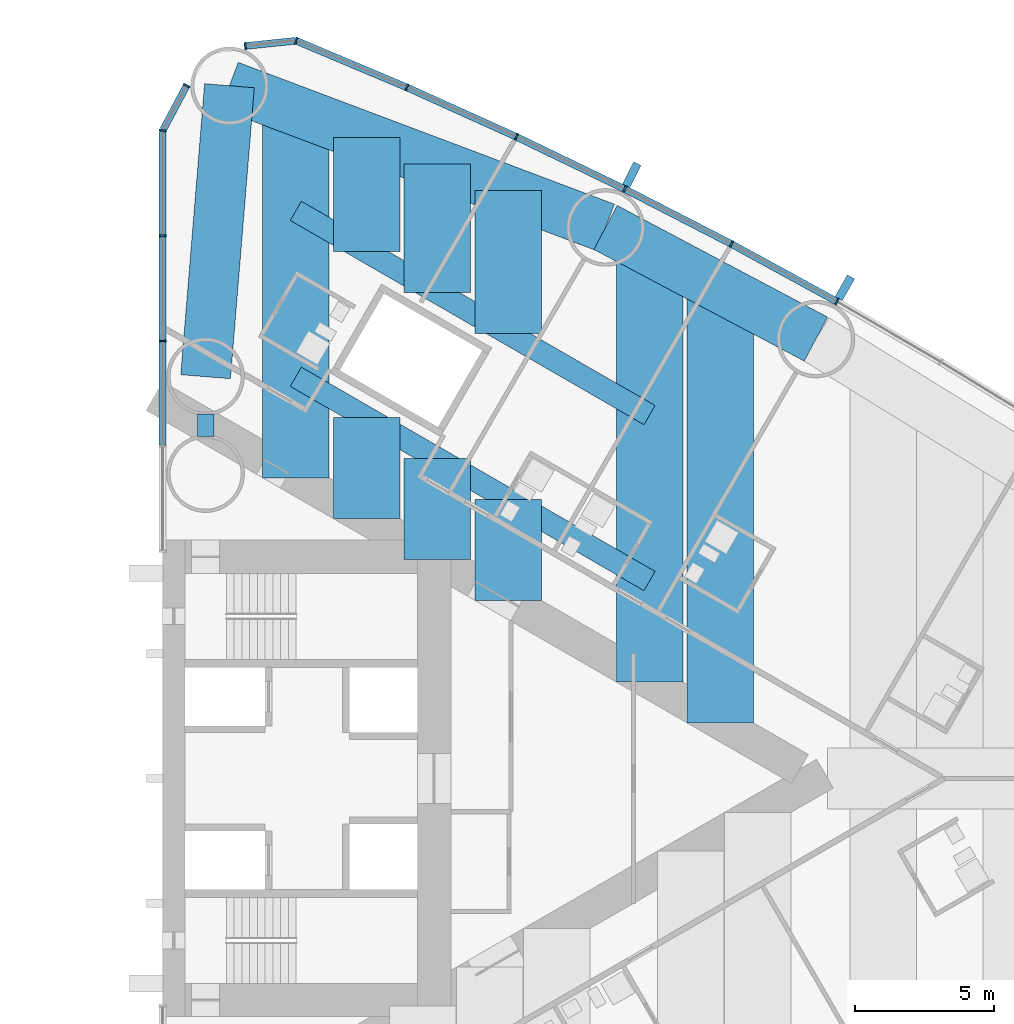
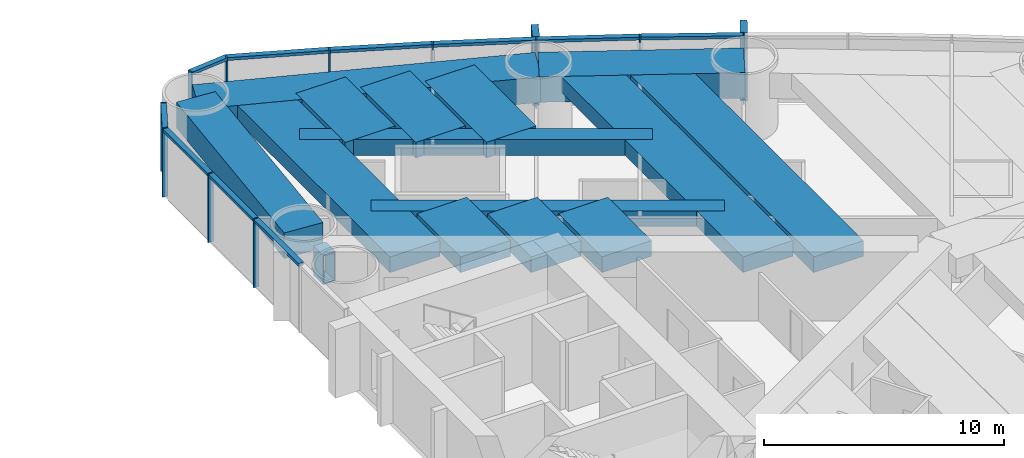
# One storey, part 7 of 18: 23 members, 15 beams, 2 elements without a shape of their own.
"""IFC4 building model written with IfcOpenShell, lengths in metres."""

from ifc_helpers import new_model, si_unit, direction, frame, origin, origin_2d, place, context, subcontext, project, spatial, rectangle, hollow_rectangle, extrude, material, material_profile, profile_set, type_object, element, aggregate, save


model = new_model("IFC4")

# Units and contexts
model_context = context("Model", 3, precision=1e-05, world=origin(), true_north=direction((0.0, 1.0)))
body_context = subcontext(model_context, "Body", "Model", "MODEL_VIEW")
ifc_project = project(units=[si_unit("LENGTHUNIT", "METRE"), si_unit("AREAUNIT", "SQUARE_METRE"), si_unit("VOLUMEUNIT", "CUBIC_METRE"), si_unit("PLANEANGLEUNIT", "RADIAN"), si_unit("MASSUNIT", "GRAM", prefix="KILO")], contexts=[model_context])

# Site, building, storey
site_placement = place(None, origin())
site = spatial("IfcSite", under=ifc_project, at=site_placement, CompositionType="ELEMENT")
building_placement = place(site_placement, origin())
building = spatial("IfcBuilding", under=site, at=building_placement, Name="Lancet Gate Hotel", CompositionType="ELEMENT")
storey_placement = place(building_placement, frame((0.0, 0.0, 42.5)))
storey = spatial("IfcBuildingStorey", under=building, at=storey_placement, Name="L10", CompositionType="ELEMENT", Elevation=42.5)

# Curtain wall, members
ifc_material_1 = material(Name="Aluminium curtain wall", Category="aluminium")
curtain_wall_type = type_object("IfcCurtainWallType", Name="Tower unitised curtain wall", PredefinedType="USERDEFINED", material=ifc_material_1)
curtain_wall_1_placement = place(storey_placement, origin())
curtain_wall_1 = element("IfcCurtainWall", 1, at=curtain_wall_1_placement, inside=storey, type_object=curtain_wall_type, Name="T2 L10 curtain wall 3", ObjectType="UNITISED CURTAIN WALL", PredefinedType="USERDEFINED")
ifc_material_2 = material(Name="Aluminium mullion", Category="aluminium")
ifc_material_profile_1 = material_profile(ifc_material_2, rectangle(XDim=0.06494140625, YDim=0.25, at=origin_2d()), Name="MULLION 65x250")
ifc_profile_set_1 = profile_set([ifc_material_profile_1], Name="Aluminium mullion")
member_type_1 = type_object("IfcMemberType", Name="Aluminium mullion 65x250", PredefinedType="MULLION", material=ifc_profile_set_1)
member_1_placement = place(storey_placement, frame((51.838623046875, 17.208740234375, 0.0), z_axis=(0.0, 0.0, 1.0), x_axis=(-0.871190450382, 0.490945209941, 0.0)))
member_1 = element("IfcMember", 2, at=member_1_placement, type_object=member_type_1, Name="T2 L10 curtain wall 3 mullion 8", PredefinedType="MULLION", context=body_context, shape_type="SweptSolid", body=[
    extrude(rectangle(XDim=0.06494140625, YDim=0.25, at=origin_2d()), origin(), (0.0, 0.0, 1.0), 3.5),
])
member_2_placement = place(storey_placement, frame((48.03271484375, 19.2900390625, 0.0), z_axis=(0.0, 0.0, 1.0), x_axis=(-0.88340346743, 0.468613181347, 0.0)))
member_2 = element("IfcMember", 3, at=member_2_placement, type_object=member_type_1, Name="T2 L10 curtain wall 3 mullion 9", PredefinedType="MULLION", context=body_context, shape_type="SweptSolid", body=[
    extrude(rectangle(XDim=0.06494140625, YDim=0.25, at=origin_2d()), origin(), (0.0, 0.0, 1.0), 3.5),
])
member_3_placement = place(storey_placement, frame((44.17529296875, 21.273681640625, 0.0), z_axis=(0.0, 0.0, 1.0), x_axis=(-0.895044147438, 0.445977548917, 0.0)))
member_3 = element("IfcMember", 4, at=member_3_placement, type_object=member_type_1, Name="T2 L10 curtain wall 3 mullion 10", PredefinedType="MULLION", context=body_context, shape_type="SweptSolid", body=[
    extrude(rectangle(XDim=0.06494140625, YDim=0.25, at=origin_2d()), origin(), (0.0, 0.0, 1.0), 3.5),
])
member_4_placement = place(storey_placement, frame((40.2685546875, 23.15869140625, 0.0), z_axis=(0.0, 0.0, 1.0), x_axis=(-0.906104948671, 0.423052977762, 0.0)))
member_4 = element("IfcMember", 5, at=member_4_placement, type_object=member_type_1, Name="T2 L10 curtain wall 3 mullion 11", PredefinedType="MULLION", context=body_context, shape_type="SweptSolid", body=[
    extrude(rectangle(XDim=0.06494140625, YDim=0.25, at=origin_2d()), origin(), (0.0, 0.0, 1.0), 3.5),
])
member_5_placement = place(storey_placement, frame((36.31494140625, 24.943603515625, 0.0), z_axis=(0.0, 0.0, 1.0), x_axis=(-0.916578705089, 0.399854320193, 0.0)))
member_5 = element("IfcMember", 6, at=member_5_placement, type_object=member_type_1, Name="T2 L10 curtain wall 3 mullion 12", PredefinedType="MULLION", context=body_context, shape_type="SweptSolid", body=[
    extrude(rectangle(XDim=0.06494140625, YDim=0.25, at=origin_2d()), origin(), (0.0, 0.0, 1.0), 3.5),
])
member_6_placement = place(storey_placement, frame((32.3173828125, 26.62744140625, 0.0), z_axis=(0.0, 0.0, 1.0), x_axis=(-0.968721492963, 0.248150496819, 0.0)))
member_6 = element("IfcMember", 7, at=member_6_placement, type_object=member_type_1, Name="T2 L10 curtain wall 3 mullion 13", PredefinedType="MULLION", context=body_context, shape_type="SweptSolid", body=[
    extrude(rectangle(XDim=0.06494140625, YDim=0.25, at=origin_2d()), origin(), (0.0, 0.0, 1.0), 3.5),
])
member_7_placement = place(storey_placement, frame((30.48388671875, 26.4375, 0.0), z_axis=(0.0, 0.0, 1.0), x_axis=(-0.994672262412, -0.10308778001, 0.0)))
member_7 = element("IfcMember", 8, at=member_7_placement, type_object=member_type_1, Name="T2 L10 curtain wall 3 mullion 14", PredefinedType="MULLION", context=body_context, shape_type="SweptSolid", body=[
    extrude(rectangle(XDim=0.06494140625, YDim=0.25, at=origin_2d()), origin(), (0.0, 0.0, 1.0), 3.5),
])

curtain_wall_2_placement = place(storey_placement, origin())
curtain_wall_2 = element("IfcCurtainWall", 9, at=curtain_wall_2_placement, inside=storey, type_object=curtain_wall_type, Name="T2 L10 curtain wall 4", ObjectType="UNITISED CURTAIN WALL", PredefinedType="USERDEFINED")
member_8_placement = place(storey_placement, frame((28.366455078125, 25.012451171875, 0.0), z_axis=(0.0, 0.0, 1.0), x_axis=(-0.469897827284, -0.882720811987, 0.0)))
member_8 = element("IfcMember", 10, at=member_8_placement, type_object=member_type_1, Name="T2 L10 curtain wall 4 mullion 1", PredefinedType="MULLION", context=body_context, shape_type="SweptSolid", body=[
    extrude(rectangle(XDim=0.06494140625, YDim=0.25, at=origin_2d()), origin(), (0.0, 0.0, 1.0), 3.5),
])
member_9_placement = place(storey_placement, frame((27.5, 23.384765625, 0.0), z_axis=(0.0, 0.0, 1.0), x_axis=(-0.157751691459, -0.987478811844, 0.0)))
member_9 = element("IfcMember", 11, at=member_9_placement, type_object=member_type_1, Name="T2 L10 curtain wall 4 mullion 2", PredefinedType="MULLION", context=body_context, shape_type="SweptSolid", body=[
    extrude(rectangle(XDim=0.06494140625, YDim=0.25, at=origin_2d()), origin(), (0.0, 0.0, 1.0), 3.5),
])
member_10_placement = place(storey_placement, frame((27.5, 19.588623046875, 0.0), z_axis=(0.0, 0.0, 1.0), x_axis=(0.0, -1.0, 0.0)))
member_10 = element("IfcMember", 12, at=member_10_placement, type_object=member_type_1, Name="T2 L10 curtain wall 4 mullion 3", PredefinedType="MULLION", context=body_context, shape_type="SweptSolid", body=[
    extrude(rectangle(XDim=0.06494140625, YDim=0.25, at=origin_2d()), origin(), (0.0, 0.0, 1.0), 3.5),
])
member_11_placement = place(storey_placement, frame((27.5, 15.79248046875, 0.0), z_axis=(0.0, 0.0, 1.0), x_axis=(0.0, -1.0, 0.0)))
member_11 = element("IfcMember", 13, at=member_11_placement, type_object=member_type_1, Name="T2 L10 curtain wall 4 mullion 4", PredefinedType="MULLION", context=body_context, shape_type="SweptSolid", body=[
    extrude(rectangle(XDim=0.06494140625, YDim=0.25, at=origin_2d()), origin(), (0.0, 0.0, 1.0), 3.5),
])

# Member
ifc_material_3 = material(Name="Aluminium transom", Category="aluminium")
ifc_material_profile_2 = material_profile(ifc_material_3, rectangle(XDim=0.25, YDim=0.14990234375, at=origin_2d()), Name="TRANSOM 250x150")
ifc_profile_set_2 = profile_set([ifc_material_profile_2], Name="Aluminium transom")
member_type_2 = type_object("IfcMemberType", Name="Aluminium transom 250x150", PredefinedType="USERDEFINED", material=ifc_profile_set_2)
member_12_placement = place(storey_placement, frame((51.81005859375, 17.224365234375, 3.425048828125), z_axis=(-0.877377528879, 0.479800658417, 0.0), x_axis=(-0.479800658417, -0.877377528879, 0.0)))
member_12 = element("IfcMember", 14, at=member_12_placement, type_object=member_type_2, Name="T2 L10 curtain wall 3 transom 8", ObjectType="TRANSOM", PredefinedType="USERDEFINED", context=body_context, shape_type="SweptSolid", body=[
    extrude(rectangle(XDim=0.25, YDim=0.14990234375, at=origin_2d()), origin(), (0.0, 0.0, 1.0), 4.272705078125),
])

member_13_placement = place(storey_placement, frame((48.00390625, 19.304931640625, 3.425048828125), z_axis=(-0.88929576978, 0.457332520002, 0.0), x_axis=(-0.457332520002, -0.88929576978, 0.0)))
member_13 = element("IfcMember", 15, at=member_13_placement, type_object=member_type_2, Name="T2 L10 curtain wall 3 transom 9", ObjectType="TRANSOM", PredefinedType="USERDEFINED", context=body_context, shape_type="SweptSolid", body=[
    extrude(rectangle(XDim=0.25, YDim=0.14990234375, at=origin_2d()), origin(), (0.0, 0.0, 1.0), 4.272705078125),
])

member_14_placement = place(storey_placement, frame((44.14599609375, 21.287841796875, 3.425048828125), z_axis=(-0.900646499888, 0.434552508035, 0.0), x_axis=(-0.434552508035, -0.900646499888, 0.0)))
member_14 = element("IfcMember", 16, at=member_14_placement, type_object=member_type_2, Name="T2 L10 curtain wall 3 transom 10", ObjectType="TRANSOM", PredefinedType="USERDEFINED", context=body_context, shape_type="SweptSolid", body=[
    extrude(rectangle(XDim=0.25, YDim=0.14990234375, at=origin_2d()), origin(), (0.0, 0.0, 1.0), 4.272705078125),
])

member_15_placement = place(storey_placement, frame((40.23876953125, 23.172119140625, 3.425048828125), z_axis=(-0.911396871737, 0.411528543589, 0.0), x_axis=(-0.411528543589, -0.911396871737, 0.0)))
member_15 = element("IfcMember", 17, at=member_15_placement, type_object=member_type_2, Name="T2 L10 curtain wall 3 transom 11", ObjectType="TRANSOM", PredefinedType="USERDEFINED", context=body_context, shape_type="SweptSolid", body=[
    extrude(rectangle(XDim=0.25, YDim=0.14990234375, at=origin_2d()), origin(), (0.0, 0.0, 1.0), 4.272705078125),
])

member_16_placement = place(storey_placement, frame((36.28515625, 24.956298828125, 3.425048828125), z_axis=(-0.92159772617, 0.388146404233, 0.0), x_axis=(-0.388146404233, -0.92159772617, 0.0)))
member_16 = element("IfcMember", 18, at=member_16_placement, type_object=member_type_2, Name="T2 L10 curtain wall 3 transom 12", ObjectType="TRANSOM", PredefinedType="USERDEFINED", context=body_context, shape_type="SweptSolid", body=[
    extrude(rectangle(XDim=0.25, YDim=0.14990234375, at=origin_2d()), origin(), (0.0, 0.0, 1.0), 4.272705078125),
])

member_17_placement = place(storey_placement, frame((32.28515625, 26.6240234375, 3.425048828125), z_axis=(-0.994670452051, -0.103105246306, 0.0), x_axis=(0.103105246306, -0.994670452051, 0.0)))
member_17 = element("IfcMember", 19, at=member_17_placement, type_object=member_type_2, Name="T2 L10 curtain wall 3 transom 13", ObjectType="TRANSOM", PredefinedType="USERDEFINED", context=body_context, shape_type="SweptSolid", body=[
    extrude(rectangle(XDim=0.25, YDim=0.14990234375, at=origin_2d()), origin(), (0.0, 0.0, 1.0), 1.7783203125),
])

member_18_placement = place(storey_placement, frame((28.351318359375, 24.98388671875, 3.425048828125), z_axis=(-0.469904276347, -0.882717378933, 0.0), x_axis=(0.882717378933, -0.469904276347, 0.0)))
member_18 = element("IfcMember", 20, at=member_18_placement, type_object=member_type_2, Name="T2 L10 curtain wall 4 transom 1", ObjectType="TRANSOM", PredefinedType="USERDEFINED", context=body_context, shape_type="SweptSolid", body=[
    extrude(rectangle(XDim=0.25, YDim=0.14990234375, at=origin_2d()), origin(), (0.0, 0.0, 1.0), 1.779052734375),
])

member_19_placement = place(storey_placement, frame((27.5, 23.352294921875, 3.425048828125), z_axis=(0.0, -1.0, 0.0), x_axis=(1.0, 0.0, 0.0)))
member_19 = element("IfcMember", 21, at=member_19_placement, type_object=member_type_2, Name="T2 L10 curtain wall 4 transom 2", ObjectType="TRANSOM", PredefinedType="USERDEFINED", context=body_context, shape_type="SweptSolid", body=[
    extrude(rectangle(XDim=0.25, YDim=0.14990234375, at=origin_2d()), origin(), (0.0, 0.0, 1.0), 3.731201171875),
])

member_20_placement = place(storey_placement, frame((27.5, 19.55615234375, 3.425048828125), z_axis=(0.0, -1.0, 0.0), x_axis=(1.0, 0.0, 0.0)))
member_20 = element("IfcMember", 22, at=member_20_placement, type_object=member_type_2, Name="T2 L10 curtain wall 4 transom 3", ObjectType="TRANSOM", PredefinedType="USERDEFINED", context=body_context, shape_type="SweptSolid", body=[
    extrude(rectangle(XDim=0.25, YDim=0.14990234375, at=origin_2d()), origin(), (0.0, 0.0, 1.0), 3.731201171875),
])

member_21_placement = place(storey_placement, frame((27.5, 15.760009765625, 3.425048828125), z_axis=(0.0, -1.0, 0.0), x_axis=(1.0, 0.0, 0.0)))
member_21 = element("IfcMember", 23, at=member_21_placement, type_object=member_type_2, Name="T2 L10 curtain wall 4 transom 4", ObjectType="TRANSOM", PredefinedType="USERDEFINED", context=body_context, shape_type="SweptSolid", body=[
    extrude(rectangle(XDim=0.25, YDim=0.14990234375, at=origin_2d()), origin(), (0.0, 0.0, 1.0), 3.731201171875),
])

aggregate(curtain_wall_2, [member_8, member_9, member_10, member_11, member_18, member_19, member_20, member_21])

# Beams
ifc_material_4 = material(Name="Concrete C50/60", Category="concrete")
ifc_material_profile_3 = material_profile(ifc_material_4, rectangle(XDim=1.800048828125, YDim=1.300048828125, at=origin_2d()), Name="RC 1800x1300")
ifc_profile_set_3 = profile_set([ifc_material_profile_3], Name="Concrete C50/60")
beam_type_1 = type_object("IfcBeamType", Name="Edge beam RC 1800x1300", PredefinedType="SPANDREL", material=ifc_profile_set_3)
beam_1_placement = place(storey_placement, frame((51.07763671875, 15.8583984375, 2.60009765625), z_axis=(-0.883403493655, 0.46861313191, 0.0), x_axis=(-0.46861313191, -0.883403493655, 0.0)))
element("IfcBeam", 24, at=beam_1_placement, inside=storey, type_object=beam_type_1, Name="T2 edge beam EB1 L10", PredefinedType="SPANDREL", context=body_context, shape_type="SweptSolid", body=[
    extrude(rectangle(XDim=1.800048828125, YDim=1.300048828125, at=origin_2d()), origin(), (0.0, 0.0, 1.0), 8.595703125),
])
beam_2_placement = place(storey_placement, frame((43.484130859375, 19.886474609375, 2.60009765625), z_axis=(-0.935736448066, 0.352700013836, 0.0), x_axis=(-0.352700013836, -0.935736448066, 0.0)))
element("IfcBeam", 25, at=beam_2_placement, inside=storey, type_object=beam_type_1, Name="T2 edge beam EB1 L10", PredefinedType="SPANDREL", context=body_context, shape_type="SweptSolid", body=[
    extrude(rectangle(XDim=1.800048828125, YDim=1.300048828125, at=origin_2d()), origin(), (0.0, 0.0, 1.0), 14.505126953125),
])
beam_3_placement = place(storey_placement, frame((29.050048828125, 14.5, 2.60009765625), z_axis=(0.081714744052, 0.996655758326, 0.0), x_axis=(-0.996655758326, 0.081714744052, 0.0)))
element("IfcBeam", 26, at=beam_3_placement, inside=storey, type_object=beam_type_1, Name="T2 edge beam EB1 L10", PredefinedType="SPANDREL", context=body_context, shape_type="SweptSolid", body=[
    extrude(rectangle(XDim=1.800048828125, YDim=1.300048828125, at=origin_2d()), origin(), (0.0, 0.0, 1.0), 10.53759765625),
])

# Member
ifc_material_5 = material(Name="Precast concrete C50/60", Category="concrete")
ifc_material_profile_4 = material_profile(ifc_material_5, rectangle(XDim=0.300048828125, YDim=0.89990234375, at=origin_2d()), Name="FIN 300x900")
ifc_profile_set_4 = profile_set([ifc_material_profile_4], Name="Precast concrete C50/60")
member_type_3 = type_object("IfcMemberType", Name="Exposed concrete fin 300x900", PredefinedType="USERDEFINED", material=ifc_profile_set_4)
member_22_placement = place(storey_placement, frame((52.120849609375, 17.709716796875, 0.0), z_axis=(0.0, 0.0, 1.0), x_axis=(-0.871190450382, 0.490945209941, 0.0)))
member_22 = element("IfcMember", 27, at=member_22_placement, type_object=member_type_3, Name="T2 L10 curtain wall 3 fin 8", ObjectType="FIN", PredefinedType="USERDEFINED", context=body_context, shape_type="SweptSolid", body=[
    extrude(rectangle(XDim=0.300048828125, YDim=0.89990234375, at=origin_2d()), origin(), (0.0, 0.0, 1.0), 3.5),
])

member_23_placement = place(storey_placement, frame((44.431640625, 21.788330078125, 0.0), z_axis=(0.0, 0.0, 1.0), x_axis=(-0.895044147438, 0.445977548917, 0.0)))
member_23 = element("IfcMember", 28, at=member_23_placement, type_object=member_type_3, Name="T2 L10 curtain wall 3 fin 10", ObjectType="FIN", PredefinedType="USERDEFINED", context=body_context, shape_type="SweptSolid", body=[
    extrude(rectangle(XDim=0.300048828125, YDim=0.89990234375, at=origin_2d()), origin(), (0.0, 0.0, 1.0), 3.5),
])

aggregate(curtain_wall_1, [member_1, member_22, member_2, member_3, member_23, member_4, member_5, member_6, member_7, member_12, member_13, member_14, member_15, member_16, member_17])

# Beams
ifc_material_6 = material(Name="Concrete C50/60", Category="concrete")
ifc_material_profile_5 = material_profile(ifc_material_6, rectangle(XDim=2.39990234375, YDim=0.800048828125, at=origin_2d()), Name="RC 2400x800")
ifc_profile_set_5 = profile_set([ifc_material_profile_5], Name="Concrete C50/60")
beam_type_2 = type_object("IfcBeamType", Name="Floor beam RC 2400x800", PredefinedType="BEAM", material=ifc_profile_set_5)
beam_4_placement = place(storey_placement, frame((32.306396484375, 10.851806640625, 2.85009765625), z_axis=(0.0, 1.0, 0.0), x_axis=(-1.0, 0.0, 0.0)))
element("IfcBeam", 29, at=beam_4_placement, inside=storey, type_object=beam_type_2, Name="T2 floor beam F04N L10", PredefinedType="BEAM", context=body_context, shape_type="SweptSolid", body=[
    extrude(rectangle(XDim=2.39990234375, YDim=0.800048828125, at=origin_2d()), origin(), (0.0, 0.0, 1.0), 13.247802734375),
])
beam_5_placement = place(storey_placement, frame((45.072265625, 3.4814453125, 2.85009765625), z_axis=(0.0, 1.0, 0.0), x_axis=(-1.0, 0.0, 0.0)))
element("IfcBeam", 30, at=beam_5_placement, inside=storey, type_object=beam_type_2, Name="T2 floor beam F12N L10", PredefinedType="BEAM", context=body_context, shape_type="SweptSolid", body=[
    extrude(rectangle(XDim=2.39990234375, YDim=0.800048828125, at=origin_2d()), origin(), (0.0, 0.0, 1.0), 15.5625),
])
beam_6_placement = place(storey_placement, frame((47.62548828125, 2.00732421875, 2.85009765625), z_axis=(0.0, 1.0, 0.0), x_axis=(-1.0, 0.0, 0.0)))
element("IfcBeam", 31, at=beam_6_placement, inside=storey, type_object=beam_type_2, Name="T2 floor beam F14N L10", PredefinedType="BEAM", context=body_context, shape_type="SweptSolid", body=[
    extrude(rectangle(XDim=2.39990234375, YDim=0.800048828125, at=origin_2d()), origin(), (0.0, 0.0, 1.0), 15.68212890625),
])
beam_7_placement = place(storey_placement, frame((34.859619140625, 9.377685546875, 2.85009765625), z_axis=(0.0, 1.0, 0.0), x_axis=(-1.0, 0.0, 0.0)))
element("IfcBeam", 32, at=beam_7_placement, inside=storey, type_object=beam_type_2, Name="T2 floor beam F06NA L10", PredefinedType="BEAM", context=body_context, shape_type="SweptSolid", body=[
    extrude(rectangle(XDim=2.39990234375, YDim=0.800048828125, at=origin_2d()), origin(), (0.0, 0.0, 1.0), 3.645751953125),
])
beam_8_placement = place(storey_placement, frame((34.859619140625, 19.011474609375, 2.85009765625), z_axis=(0.0, 1.0, 0.0), x_axis=(-1.0, 0.0, 0.0)))
element("IfcBeam", 33, at=beam_8_placement, inside=storey, type_object=beam_type_2, Name="T2 floor beam F06NB L10", PredefinedType="BEAM", context=body_context, shape_type="SweptSolid", body=[
    extrude(rectangle(XDim=2.39990234375, YDim=0.800048828125, at=origin_2d()), origin(), (0.0, 0.0, 1.0), 4.125732421875),
])
beam_9_placement = place(storey_placement, frame((37.412841796875, 7.903564453125, 2.85009765625), z_axis=(0.0, 1.0, 0.0), x_axis=(-1.0, 0.0, 0.0)))
element("IfcBeam", 34, at=beam_9_placement, inside=storey, type_object=beam_type_2, Name="T2 floor beam F08NA L10", PredefinedType="BEAM", context=body_context, shape_type="SweptSolid", body=[
    extrude(rectangle(XDim=2.39990234375, YDim=0.800048828125, at=origin_2d()), origin(), (0.0, 0.0, 1.0), 3.6455078125),
])
beam_10_placement = place(storey_placement, frame((37.412841796875, 17.537109375, 2.85009765625), z_axis=(0.0, 1.0, 0.0), x_axis=(-1.0, 0.0, 0.0)))
element("IfcBeam", 35, at=beam_10_placement, inside=storey, type_object=beam_type_2, Name="T2 floor beam F08NB L10", PredefinedType="BEAM", context=body_context, shape_type="SweptSolid", body=[
    extrude(rectangle(XDim=2.39990234375, YDim=0.800048828125, at=origin_2d()), origin(), (0.0, 0.0, 1.0), 4.6376953125),
])
beam_11_placement = place(storey_placement, frame((39.9658203125, 6.429443359375, 2.85009765625), z_axis=(0.0, 1.0, 0.0), x_axis=(-1.0, 0.0, 0.0)))
element("IfcBeam", 36, at=beam_11_placement, inside=storey, type_object=beam_type_2, Name="T2 floor beam F10NA L10", PredefinedType="BEAM", context=body_context, shape_type="SweptSolid", body=[
    extrude(rectangle(XDim=2.39990234375, YDim=0.800048828125, at=origin_2d()), origin(), (0.0, 0.0, 1.0), 3.64501953125),
])
beam_12_placement = place(storey_placement, frame((39.9658203125, 16.062744140625, 2.85009765625), z_axis=(0.0, 1.0, 0.0), x_axis=(-1.0, 0.0, 0.0)))
element("IfcBeam", 37, at=beam_12_placement, inside=storey, type_object=beam_type_2, Name="T2 floor beam F10NB L10", PredefinedType="BEAM", context=body_context, shape_type="SweptSolid", body=[
    extrude(rectangle(XDim=2.39990234375, YDim=0.800048828125, at=origin_2d()), origin(), (0.0, 0.0, 1.0), 5.14990234375),
])
ifc_material_7 = material(Name="Steel S460QL", Category="steel")
ifc_material_profile_6 = material_profile(ifc_material_7, hollow_rectangle(XDim=0.60009765625, YDim=1.5, WallThickness=0.050048828125, at=origin_2d()), Name="BOX 1500x600x50")
ifc_profile_set_6 = profile_set([ifc_material_profile_6], Name="Steel S460QL")
beam_type_3 = type_object("IfcBeamType", Name="Inner-face link beam BOX 1500x600x50", PredefinedType="BEAM", material=ifc_profile_set_6)
beam_13_placement = place(storey_placement, frame((29.050048828125, 12.35009765625, 2.5), z_axis=(0.0, 1.0, 0.0), x_axis=(-1.0, 0.0, 0.0)))
element("IfcBeam", 38, at=beam_13_placement, inside=storey, type_object=beam_type_3, Name="T2 inner-face link beam LK1 L10", PredefinedType="BEAM", context=body_context, shape_type="SweptSolid", body=[
    extrude(hollow_rectangle(XDim=0.60009765625, YDim=1.5, WallThickness=0.050048828125, at=origin_2d()), origin(), (0.0, 0.0, 1.0), 0.7998046875),
])
ifc_material_8 = material(Name="Steel S460QL", Category="steel")
ifc_material_profile_7 = material_profile(ifc_material_8, hollow_rectangle(XDim=0.800048828125, YDim=0.800048828125, WallThickness=0.080078125, at=origin_2d()), Name="BOX 800x800x80")
ifc_profile_set_7 = profile_set([ifc_material_profile_7], Name="Steel S460QL")
beam_type_4 = type_object("IfcBeamType", Name="Trimmer beam BOX 800x800x80", PredefinedType="BEAM", material=ifc_profile_set_7)
beam_14_placement = place(storey_placement, frame((32.306396484375, 20.48583984375, 2.85009765625), z_axis=(0.86598286195, -0.500073677381, 0.0), x_axis=(0.500073677381, 0.86598286195, 0.0)))
element("IfcBeam", 39, at=beam_14_placement, inside=storey, type_object=beam_type_4, Name="T2 trimmer beam TR03N L10", PredefinedType="BEAM", context=body_context, shape_type="SweptSolid", body=[
    extrude(hollow_rectangle(XDim=0.800048828125, YDim=0.800048828125, WallThickness=0.080078125, at=origin_2d()), origin(), (0.0, 0.0, 1.0), 14.741455078125),
])
beam_15_placement = place(storey_placement, frame((32.306396484375, 14.497802734375, 2.85009765625), z_axis=(0.865975689888, -0.500086097111, 0.0), x_axis=(0.500086097111, 0.865975689888, 0.0)))
element("IfcBeam", 40, at=beam_15_placement, inside=storey, type_object=beam_type_4, Name="T2 trimmer beam TR04N L10", PredefinedType="BEAM", context=body_context, shape_type="SweptSolid", body=[
    extrude(hollow_rectangle(XDim=0.800048828125, YDim=0.800048828125, WallThickness=0.080078125, at=origin_2d()), origin(), (0.0, 0.0, 1.0), 14.74169921875),
])

save(model, "model.ifc")
